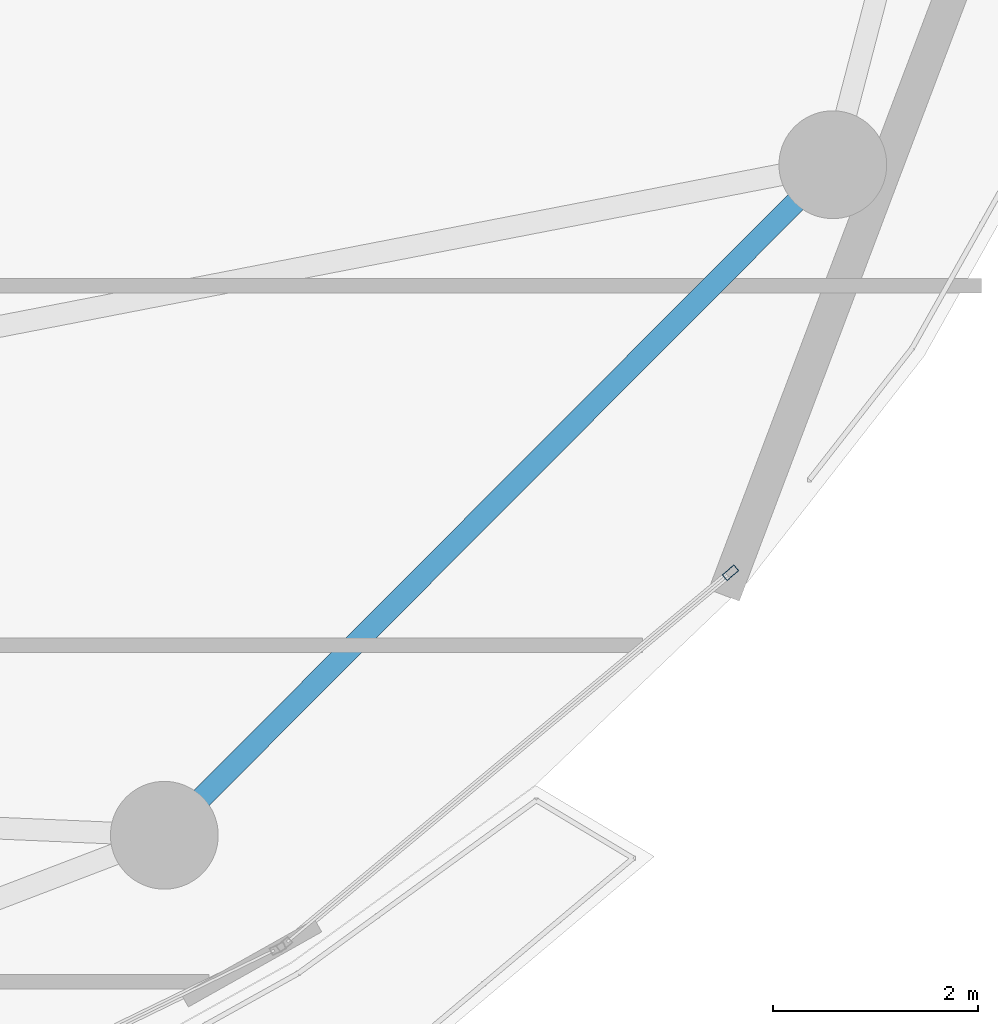
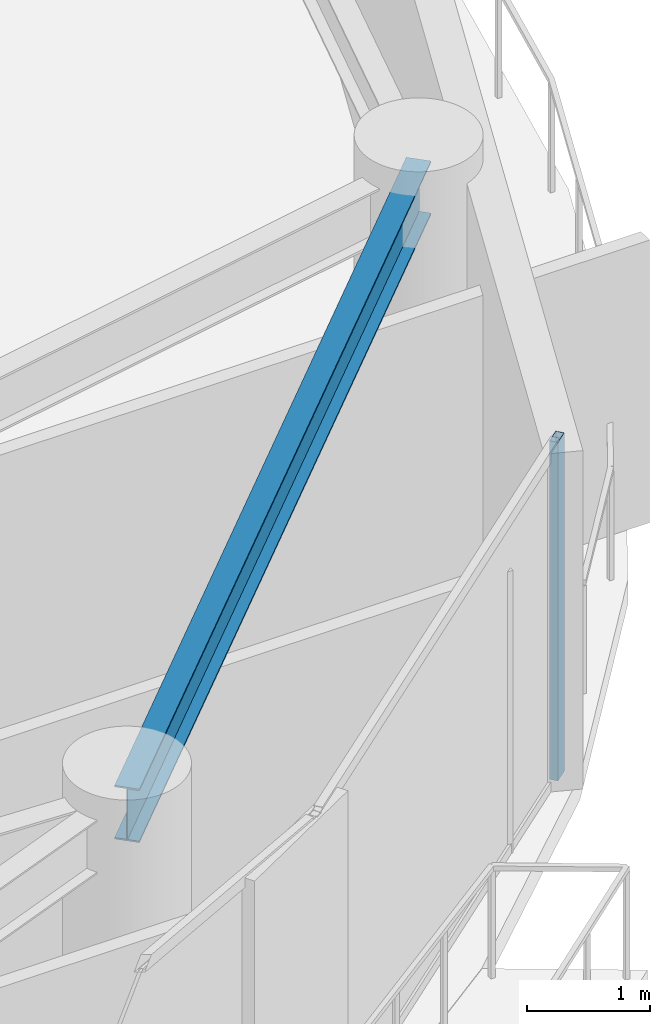
# One storey, part 13 of 28: 1 beam, 1 member, 1 element without a shape of its own.
"""IFC4 building model written with IfcOpenShell, lengths in metres."""

from ifc_helpers import new_model, si_unit, direction, frame, origin, origin_2d, place, context, subcontext, project, spatial, hollow_rectangle, i_section, extrude, material, layer, layer_set, material_profile, profile_set, type_object, element, aggregate, save


model = new_model("IFC4")

# Units and contexts
model_context = context("Model", 3, precision=1e-05, world=origin(), true_north=direction((0.0, 1.0)))
body_context = subcontext(model_context, "Body", "Model", "MODEL_VIEW")
ifc_project = project(units=[si_unit("LENGTHUNIT", "METRE"), si_unit("AREAUNIT", "SQUARE_METRE"), si_unit("VOLUMEUNIT", "CUBIC_METRE"), si_unit("PLANEANGLEUNIT", "RADIAN"), si_unit("MASSUNIT", "GRAM", prefix="KILO")], contexts=[model_context])

# Site, building, storey
site_placement = place(None, origin())
site = spatial("IfcSite", under=ifc_project, at=site_placement, CompositionType="ELEMENT")
building_placement = place(site_placement, origin())
building = spatial("IfcBuilding", under=site, at=building_placement, Name="Kazevale Care Tower and Concert Hall", CompositionType="ELEMENT")
storey_placement = place(building_placement, frame((0.0, 0.0, 228.0)))
storey = spatial("IfcBuildingStorey", under=building, at=storey_placement, Name="L60", CompositionType="ELEMENT", Elevation=228.0)

# Curtain wall, member
ifc_material_1 = material(Name="Aluminium 6063-T6 and Low-E Glass", Category="aluminium")
ifc_layer = layer(ifc_material_1, 0.179931640625)
ifc_layer_set = layer_set([ifc_layer], Name="Aluminium 6063-T6 and Low-E Glass")
curtain_wall_type = type_object("IfcCurtainWallType", Name="Sheltered Concave Balcony Curtain Wall CW-5", PredefinedType="NOTDEFINED", material=ifc_layer_set)
curtain_wall_placement = place(storey_placement, origin())
curtain_wall = element("IfcCurtainWall", 1, at=curtain_wall_placement, inside=storey, type_object=curtain_wall_type, Name="cw:L60:f02", PredefinedType="NOTDEFINED")
ifc_material_2 = material(Name="Aluminium 6063-T6", Category="aluminium")
ifc_material_profile_1 = material_profile(ifc_material_2, hollow_rectangle(XDim=0.074951171875, YDim=0.14990234375, WallThickness=0.00390625, at=origin_2d()), Name="ALU75x150x4")
ifc_profile_set_1 = profile_set([ifc_material_profile_1], Name="Aluminium 6063-T6")
member_type = type_object("IfcMemberType", Name="CW-5 Mullion ALU75x150x4", PredefinedType="MULLION", material=ifc_profile_set_1)
member_placement = place(storey_placement, frame((71.76318359375, 25.2060546875, 0.0), z_axis=(0.0, 0.0, 1.0), x_axis=(0.639961217204, -0.768407210062, 0.0)))
member = element("IfcMember", 2, at=member_placement, type_object=member_type, Name="CW-5 mullion 1", PredefinedType="MULLION", context=body_context, shape_type="SweptSolid", body=[
    extrude(hollow_rectangle(XDim=0.074951171875, YDim=0.14990234375, WallThickness=0.00390625, at=origin_2d()), origin(), (0.0, 0.0, 1.0), 3.360107421875),
])
aggregate(curtain_wall, [member])

# Beam
ifc_material_3 = material(Name="Steel ASTM A572 Gr 50", Category="steel")
ifc_material_profile_2 = material_profile(ifc_material_3, i_section(OverallWidth=0.208984375, OverallDepth=0.532958984375, WebThickness=0.01025390625, FlangeThickness=0.015625, at=origin_2d()), Name="W530x92")
ifc_profile_set_2 = profile_set([ifc_material_profile_2], Name="Steel ASTM A572 Gr 50")
beam_type = type_object("IfcBeamType", Name="Upper Ring Beam W530x92", PredefinedType="BEAM", material=ifc_profile_set_2)
beam_placement = place(storey_placement, frame((66.25, 22.64990234375, 3.093505859375), z_axis=(0.706020373708, 0.708191522054, 0.0), x_axis=(-0.708191522054, 0.706020373708, 0.0)))
element("IfcBeam", 3, at=beam_placement, inside=storey, type_object=beam_type, Name="beam:L60:ring:15", PredefinedType="BEAM", context=body_context, shape_type="SweptSolid", body=[
    extrude(i_section(OverallWidth=0.208984375, OverallDepth=0.532958984375, WebThickness=0.01025390625, FlangeThickness=0.015625, at=origin_2d()), origin(), (0.0, 0.0, 1.0), 9.220703125),
])

save(model, "model.ifc")
